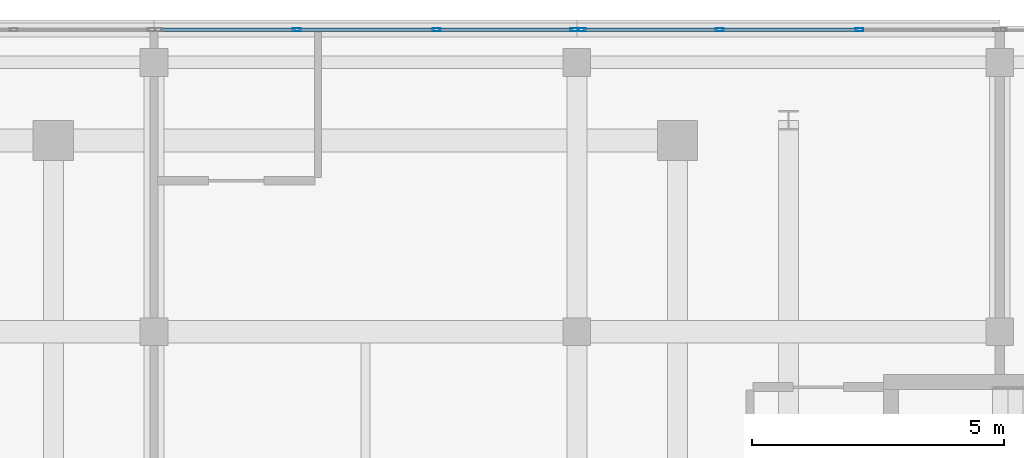
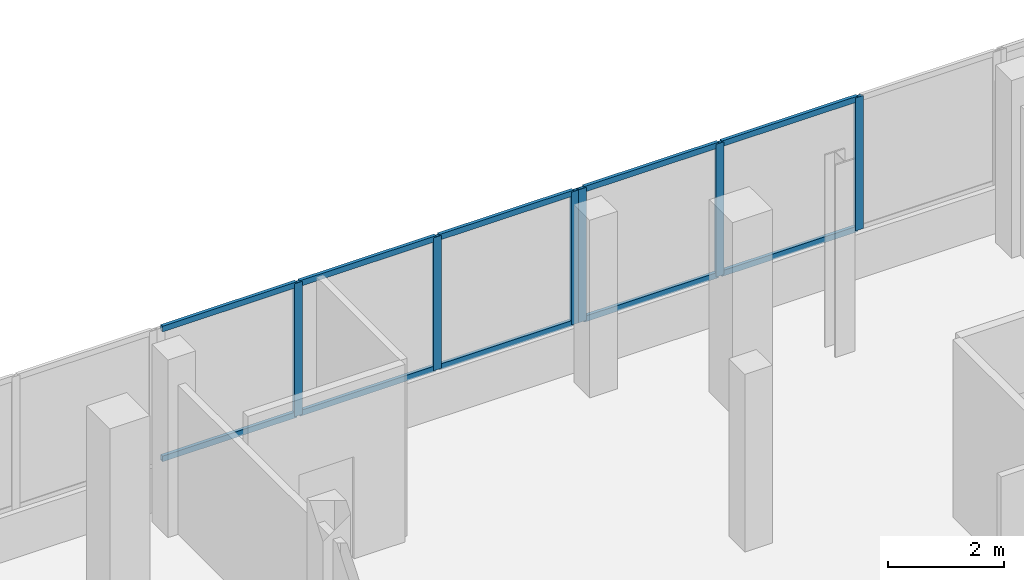
# One storey, part 26 of 67: 16 members, 2 elements without a shape of their own.
"""IFC4 building model written with IfcOpenShell, lengths in metres."""

from ifc_helpers import new_model, si_unit, direction, frame, origin, origin_2d, place, context, subcontext, project, spatial, hollow_rectangle, extrude, material, material_profile, profile_set, type_object, element, aggregate, save


model = new_model("IFC4")

# Units and contexts
model_context = context("Model", 3, precision=1e-05, world=origin(), true_north=direction((0.0, 1.0)))
body_context = subcontext(model_context, "Body", "Model", "MODEL_VIEW")
ifc_project = project(units=[si_unit("LENGTHUNIT", "METRE"), si_unit("AREAUNIT", "SQUARE_METRE"), si_unit("VOLUMEUNIT", "CUBIC_METRE"), si_unit("PLANEANGLEUNIT", "RADIAN"), si_unit("MASSUNIT", "GRAM", prefix="KILO")], contexts=[model_context])

# Site, building, storey
site_placement = place(None, origin())
site = spatial("IfcSite", under=ifc_project, at=site_placement, CompositionType="ELEMENT")
building_placement = place(site_placement, origin())
building = spatial("IfcBuilding", under=site, at=building_placement, Name="Selatvlak General Hospital", CompositionType="ELEMENT")
storey_placement = place(building_placement, frame((0.0, 0.0, 35.39990234375)))
storey = spatial("IfcBuildingStorey", under=building, at=storey_placement, Name="L08", CompositionType="ELEMENT", Elevation=35.39990234375)

# Curtain wall, members
ifc_material_1 = material(Name="Solar-control Low-E double glazing", Category="glass")
curtain_wall_type_1 = type_object("IfcCurtainWallType", Name="CW-CW-01", PredefinedType="USERDEFINED", material=ifc_material_1)
curtain_wall_1_placement = place(storey_placement, origin())
curtain_wall_1 = element("IfcCurtainWall", 1, at=curtain_wall_1_placement, inside=storey, type_object=curtain_wall_type_1, Name="Glazed facade curtain wall CW-L08-0688", ObjectType="UNITISED CURTAIN WALL", PredefinedType="USERDEFINED")
ifc_material_2 = material(Name="Dark anodised aluminium mullion", Category="aluminium")
ifc_material_profile_1 = material_profile(ifc_material_2, hollow_rectangle(XDim=0.06494140625, YDim=0.159912109375, WallThickness=0.00390625, at=origin_2d()), Name="AL-MUL 65x160x4")
ifc_profile_set_1 = profile_set([ifc_material_profile_1], Name="Dark anodised aluminium mullion")
member_type_1 = type_object("IfcMemberType", Name="CWM-01", PredefinedType="MULLION", material=ifc_profile_set_1)
member_1_placement = place(storey_placement, frame((76.038330078125, 119.9990234375, 0.940185546875), z_axis=(0.0, 0.0, 1.0), x_axis=(0.0, 1.0, 0.0)))
member_1 = element("IfcMember", 2, at=member_1_placement, type_object=member_type_1, Name="CW-01 mullion 2", PredefinedType="MULLION", context=body_context, shape_type="SweptSolid", body=[
    extrude(hollow_rectangle(XDim=0.06494140625, YDim=0.159912109375, WallThickness=0.00390625, at=origin_2d()), origin(), (0.0, 0.0, 1.0), 2.7998046875),
])
member_2_placement = place(storey_placement, frame((78.811767578125, 119.9990234375, 0.940185546875), z_axis=(0.0, 0.0, 1.0), x_axis=(0.0, 1.0, 0.0)))
member_2 = element("IfcMember", 3, at=member_2_placement, type_object=member_type_1, Name="CW-01 mullion 3", PredefinedType="MULLION", context=body_context, shape_type="SweptSolid", body=[
    extrude(hollow_rectangle(XDim=0.06494140625, YDim=0.159912109375, WallThickness=0.00390625, at=origin_2d()), origin(), (0.0, 0.0, 1.0), 2.7998046875),
])
member_3_placement = place(storey_placement, frame((81.552490234375, 119.9990234375, 0.940185546875), z_axis=(0.0, 0.0, 1.0), x_axis=(0.0, 1.0, 0.0)))
member_3 = element("IfcMember", 4, at=member_3_placement, type_object=member_type_1, Name="CW-01 mullion 4", PredefinedType="MULLION", context=body_context, shape_type="SweptSolid", body=[
    extrude(hollow_rectangle(XDim=0.06494140625, YDim=0.159912109375, WallThickness=0.00390625, at=origin_2d()), origin(), (0.0, 0.0, 1.0), 2.7998046875),
])

curtain_wall_type_2 = type_object("IfcCurtainWallType", Name="CW-CW-02", PredefinedType="USERDEFINED", material=ifc_material_1)
curtain_wall_2_placement = place(storey_placement, origin())
curtain_wall_2 = element("IfcCurtainWall", 5, at=curtain_wall_2_placement, inside=storey, type_object=curtain_wall_type_2, Name="Glazed facade curtain wall CW-L08-0689", ObjectType="UNITISED CURTAIN WALL", PredefinedType="USERDEFINED")
member_4_placement = place(storey_placement, frame((81.697509765625, 119.9990234375, 0.940185546875), z_axis=(0.0, 0.0, 1.0), x_axis=(0.0, 1.0, 0.0)))
member_4 = element("IfcMember", 6, at=member_4_placement, type_object=member_type_1, Name="CW-02 mullion 1", PredefinedType="MULLION", context=body_context, shape_type="SweptSolid", body=[
    extrude(hollow_rectangle(XDim=0.06494140625, YDim=0.159912109375, WallThickness=0.00390625, at=origin_2d()), origin(), (0.0, 0.0, 1.0), 2.7998046875),
])
member_5_placement = place(storey_placement, frame((84.438232421875, 119.9990234375, 0.940185546875), z_axis=(0.0, 0.0, 1.0), x_axis=(0.0, 1.0, 0.0)))
member_5 = element("IfcMember", 7, at=member_5_placement, type_object=member_type_1, Name="CW-02 mullion 2", PredefinedType="MULLION", context=body_context, shape_type="SweptSolid", body=[
    extrude(hollow_rectangle(XDim=0.06494140625, YDim=0.159912109375, WallThickness=0.00390625, at=origin_2d()), origin(), (0.0, 0.0, 1.0), 2.7998046875),
])
member_6_placement = place(storey_placement, frame((87.211669921875, 119.9990234375, 0.940185546875), z_axis=(0.0, 0.0, 1.0), x_axis=(0.0, 1.0, 0.0)))
member_6 = element("IfcMember", 8, at=member_6_placement, type_object=member_type_1, Name="CW-02 mullion 3", PredefinedType="MULLION", context=body_context, shape_type="SweptSolid", body=[
    extrude(hollow_rectangle(XDim=0.06494140625, YDim=0.159912109375, WallThickness=0.00390625, at=origin_2d()), origin(), (0.0, 0.0, 1.0), 2.7998046875),
])

# Member
ifc_material_profile_2 = material_profile(ifc_material_2, hollow_rectangle(XDim=0.06494140625, YDim=0.1201171875, WallThickness=0.00390625, at=origin_2d()), Name="AL-TRN 65x120x4")
ifc_profile_set_2 = profile_set([ifc_material_profile_2], Name="Dark anodised aluminium mullion")
member_type_2 = type_object("IfcMemberType", Name="CWT-01", PredefinedType="USERDEFINED", material=ifc_profile_set_2)
member_7_placement = place(storey_placement, frame((73.330078125, 119.9990234375, 0.97265625), z_axis=(1.0, 0.0, 0.0), x_axis=(0.0, 1.0, 0.0)))
member_7 = element("IfcMember", 9, at=member_7_placement, type_object=member_type_2, Name="CW-01 transom 1.1", ObjectType="TRANSOM", PredefinedType="USERDEFINED", context=body_context, shape_type="SweptSolid", body=[
    extrude(hollow_rectangle(XDim=0.06494140625, YDim=0.1201171875, WallThickness=0.00390625, at=origin_2d()), origin(), (0.0, 0.0, 1.0), 2.67578125),
])

member_8_placement = place(storey_placement, frame((73.330078125, 119.9990234375, 3.70751953125), z_axis=(1.0, 0.0, 0.0), x_axis=(0.0, 1.0, 0.0)))
member_8 = element("IfcMember", 10, at=member_8_placement, type_object=member_type_2, Name="CW-01 transom 1.2", ObjectType="TRANSOM", PredefinedType="USERDEFINED", context=body_context, shape_type="SweptSolid", body=[
    extrude(hollow_rectangle(XDim=0.06494140625, YDim=0.1201171875, WallThickness=0.00390625, at=origin_2d()), origin(), (0.0, 0.0, 1.0), 2.67578125),
])

member_9_placement = place(storey_placement, frame((76.07080078125, 119.9990234375, 0.97265625), z_axis=(1.0, 0.0, 0.0), x_axis=(0.0, 1.0, 0.0)))
member_9 = element("IfcMember", 11, at=member_9_placement, type_object=member_type_2, Name="CW-01 transom 2.1", ObjectType="TRANSOM", PredefinedType="USERDEFINED", context=body_context, shape_type="SweptSolid", body=[
    extrude(hollow_rectangle(XDim=0.06494140625, YDim=0.1201171875, WallThickness=0.00390625, at=origin_2d()), origin(), (0.0, 0.0, 1.0), 2.708251953125),
])

member_10_placement = place(storey_placement, frame((76.07080078125, 119.9990234375, 3.70751953125), z_axis=(1.0, 0.0, 0.0), x_axis=(0.0, 1.0, 0.0)))
member_10 = element("IfcMember", 12, at=member_10_placement, type_object=member_type_2, Name="CW-01 transom 2.2", ObjectType="TRANSOM", PredefinedType="USERDEFINED", context=body_context, shape_type="SweptSolid", body=[
    extrude(hollow_rectangle(XDim=0.06494140625, YDim=0.1201171875, WallThickness=0.00390625, at=origin_2d()), origin(), (0.0, 0.0, 1.0), 2.708251953125),
])

member_11_placement = place(storey_placement, frame((78.84423828125, 119.9990234375, 0.97265625), z_axis=(1.0, 0.0, 0.0), x_axis=(0.0, 1.0, 0.0)))
member_11 = element("IfcMember", 13, at=member_11_placement, type_object=member_type_2, Name="CW-01 transom 3.1", ObjectType="TRANSOM", PredefinedType="USERDEFINED", context=body_context, shape_type="SweptSolid", body=[
    extrude(hollow_rectangle(XDim=0.06494140625, YDim=0.1201171875, WallThickness=0.00390625, at=origin_2d()), origin(), (0.0, 0.0, 1.0), 2.67578125),
])

member_12_placement = place(storey_placement, frame((78.84423828125, 119.9990234375, 3.70751953125), z_axis=(1.0, 0.0, 0.0), x_axis=(0.0, 1.0, 0.0)))
member_12 = element("IfcMember", 14, at=member_12_placement, type_object=member_type_2, Name="CW-01 transom 3.2", ObjectType="TRANSOM", PredefinedType="USERDEFINED", context=body_context, shape_type="SweptSolid", body=[
    extrude(hollow_rectangle(XDim=0.06494140625, YDim=0.1201171875, WallThickness=0.00390625, at=origin_2d()), origin(), (0.0, 0.0, 1.0), 2.67578125),
])

aggregate(curtain_wall_1, [member_1, member_2, member_3, member_7, member_8, member_9, member_10, member_11, member_12])

member_13_placement = place(storey_placement, frame((81.72998046875, 119.9990234375, 0.97265625), z_axis=(1.0, 0.0, 0.0), x_axis=(0.0, 1.0, 0.0)))
member_13 = element("IfcMember", 15, at=member_13_placement, type_object=member_type_2, Name="CW-02 transom 1.1", ObjectType="TRANSOM", PredefinedType="USERDEFINED", context=body_context, shape_type="SweptSolid", body=[
    extrude(hollow_rectangle(XDim=0.06494140625, YDim=0.1201171875, WallThickness=0.00390625, at=origin_2d()), origin(), (0.0, 0.0, 1.0), 2.67578125),
])

member_14_placement = place(storey_placement, frame((81.72998046875, 119.9990234375, 3.70751953125), z_axis=(1.0, 0.0, 0.0), x_axis=(0.0, 1.0, 0.0)))
member_14 = element("IfcMember", 16, at=member_14_placement, type_object=member_type_2, Name="CW-02 transom 1.2", ObjectType="TRANSOM", PredefinedType="USERDEFINED", context=body_context, shape_type="SweptSolid", body=[
    extrude(hollow_rectangle(XDim=0.06494140625, YDim=0.1201171875, WallThickness=0.00390625, at=origin_2d()), origin(), (0.0, 0.0, 1.0), 2.67578125),
])

member_15_placement = place(storey_placement, frame((84.470947265625, 119.9990234375, 0.97265625), z_axis=(1.0, 0.0, 0.0), x_axis=(0.0, 1.0, 0.0)))
member_15 = element("IfcMember", 17, at=member_15_placement, type_object=member_type_2, Name="CW-02 transom 2.1", ObjectType="TRANSOM", PredefinedType="USERDEFINED", context=body_context, shape_type="SweptSolid", body=[
    extrude(hollow_rectangle(XDim=0.06494140625, YDim=0.1201171875, WallThickness=0.00390625, at=origin_2d()), origin(), (0.0, 0.0, 1.0), 2.708251953125),
])

member_16_placement = place(storey_placement, frame((84.470947265625, 119.9990234375, 3.70751953125), z_axis=(1.0, 0.0, 0.0), x_axis=(0.0, 1.0, 0.0)))
member_16 = element("IfcMember", 18, at=member_16_placement, type_object=member_type_2, Name="CW-02 transom 2.2", ObjectType="TRANSOM", PredefinedType="USERDEFINED", context=body_context, shape_type="SweptSolid", body=[
    extrude(hollow_rectangle(XDim=0.06494140625, YDim=0.1201171875, WallThickness=0.00390625, at=origin_2d()), origin(), (0.0, 0.0, 1.0), 2.708251953125),
])

aggregate(curtain_wall_2, [member_4, member_5, member_6, member_13, member_14, member_15, member_16])

save(model, "model.ifc")
